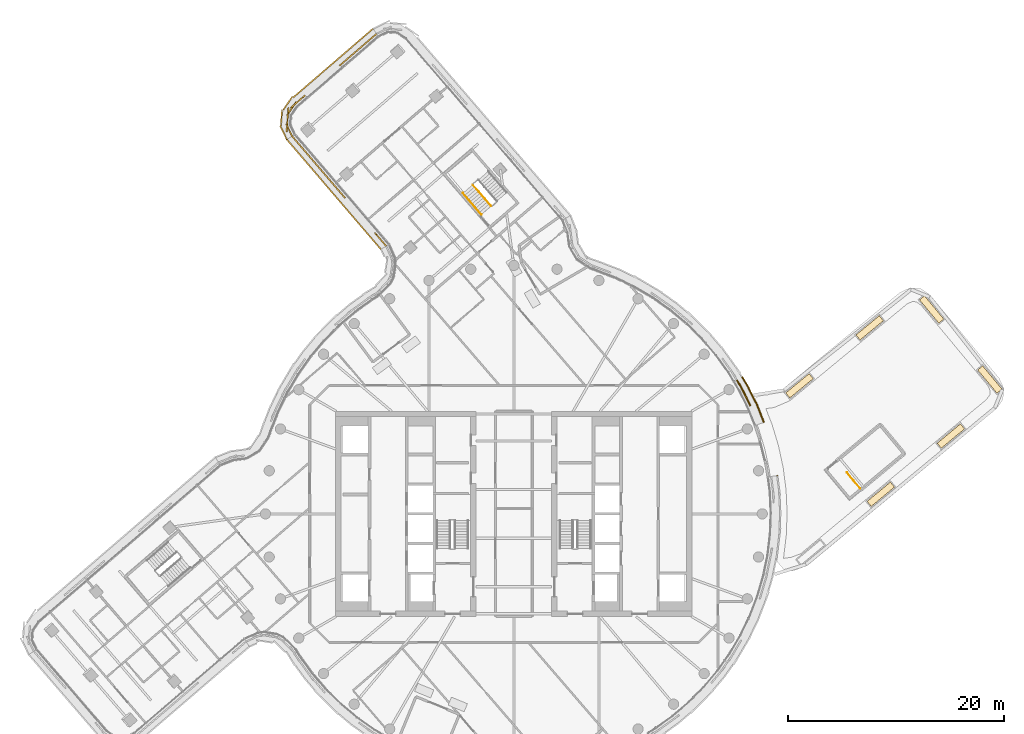
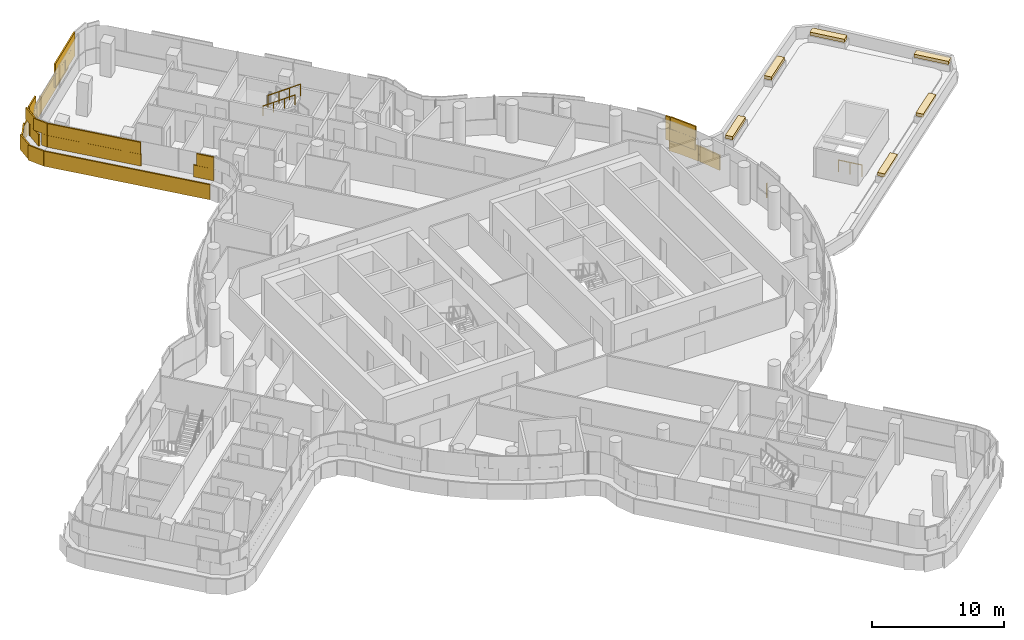
# One storey, part 32 of 34: 9 coverings, 3 railings.
"""IFC4 building model written with IfcOpenShell, lengths in metres."""

from ifc_helpers import new_model, si_unit, direction, frame, origin, origin_2d, place, context, subcontext, project, spatial, rectangle, circle, extrude, material, layer, layer_set, type_object, element, save


model = new_model("IFC4")

# Units and contexts
model_context = context("Model", 3, precision=1e-05, world=origin(), true_north=direction((0.0, 1.0)))
body_context = subcontext(model_context, "Body", "Model", "MODEL_VIEW")
ifc_project = project(units=[si_unit("LENGTHUNIT", "METRE"), si_unit("AREAUNIT", "SQUARE_METRE"), si_unit("VOLUMEUNIT", "CUBIC_METRE"), si_unit("PLANEANGLEUNIT", "RADIAN"), si_unit("MASSUNIT", "GRAM", prefix="KILO")], contexts=[model_context])

# Site, building, storey
site_placement = place(None, origin())
site = spatial("IfcSite", under=ifc_project, at=site_placement, CompositionType="ELEMENT")
building_placement = place(site_placement, origin())
building = spatial("IfcBuilding", under=site, at=building_placement, Name="Tamarind Cross Interchange Tower", CompositionType="ELEMENT")
storey_placement = place(building_placement, frame((0.0, 0.0, 182.5)))
storey = spatial("IfcBuildingStorey", under=building, at=storey_placement, Name="L45", CompositionType="ELEMENT", Elevation=182.5)

# Coverings
ifc_material_1 = material(Name="Planting soil and turf")
covering_type_1 = type_object("IfcCoveringType", Name="Planting bed", PredefinedType="USERDEFINED", material=ifc_material_1)
for number, where, z_axis, x_axis, name in (
    (1, (33.971435546875, 1.816162109375, 0.60009765625), (0.0, 0.0, 1.0), (0.769372797728, 0.638800045488, 0.0), "PLB-L45-RTE0-01"),
    (2, (40.4580078125, 7.201904296875, 0.60009765625), (0.0, 0.0, 1.0), (0.769372797728, 0.638800045488, 0.0), "PLB-L45-RTE0-02"),
    (3, (44.065185546875, 12.4365234375, 0.60009765625), (0.0, 0.0, 1.0), (-0.638800045488, 0.769372797728, 0.0), "PLB-L45-RTE0-03"),
    (4, (38.679443359375, 18.92333984375, 0.60009765625), (0.0, 0.0, 1.0), (-0.638800045488, 0.769372797728, 0.0), "PLB-L45-RTE0-04"),
    (5, (32.9423828125, 17.224853515625, 0.60009765625), (0.0, 0.0, 1.0), (-0.771227326834, -0.636559824639, 0.0), "PLB-L45-RTE0-05"),
    (6, (26.440185546875, 11.858154296875, 0.60009765625), (0.0, 0.0, 1.0), (-0.771227326834, -0.636559824639, 0.0), "PLB-L45-RTE0-06"),
):
    element("IfcCovering", number, at=place(storey_placement, frame(where, z_axis=z_axis, x_axis=x_axis)), inside=storey, type_object=covering_type_1, Name=name, ObjectType="Planting bed", PredefinedType="USERDEFINED", context=body_context, shape_type="SweptSolid", body=[
        extrude(rectangle(XDim=2.800048828125, YDim=0.60009765625, at=origin_2d()), origin(), (0.0, 0.0, 1.0), 0.300048828125),
    ])

# Railings
ifc_material_2 = material(Name="Stair guard")
railing_type_1 = type_object("IfcRailingType", Name="Stair guard", PredefinedType="GUARDRAIL", material=ifc_material_2)
railing_1_placement = place(storey_placement, frame((32.05517578125, 2.369873046875, 0.0)))
element("IfcRailing", 7, at=railing_1_placement, inside=storey, type_object=railing_type_1, Name="L45 ST3 top well guard 1", PredefinedType="GUARDRAIL", context=body_context, shape_type="SweptSolid", body=[
    extrude(circle(Radius=0.02392578125, at=origin_2d()), frame((0.0, 0.0, 1.076171875), z_axis=(-0.638805612328, 0.769368175621, 0.0), x_axis=(-0.769368175621, -0.638805612328, 0.0)), (0.0, 0.0, 1.0), 1.89990234375),
    extrude(circle(Radius=0.02099609375, at=origin_2d()), origin(), (0.0, 0.0, 1.0), 1.052001953125),
    extrude(circle(Radius=0.02099609375, at=origin_2d()), frame((-0.60693359375, 0.73095703125, 0.0)), (0.0, 0.0, 1.0), 1.052001953125),
    extrude(circle(Radius=0.02099609375, at=origin_2d()), frame((-1.213623046875, 1.461669921875, 0.0)), (0.0, 0.0, 1.0), 1.052001953125),
])
railing_2_placement = place(storey_placement, frame((-3.801513671875, 30.472412109375, 1.963623046875)))
element("IfcRailing", 8, at=railing_2_placement, inside=storey, type_object=railing_type_1, Name="L45 ST4 stair guard 3", PredefinedType="GUARDRAIL", context=body_context, shape_type="SweptSolid", body=[
    extrude(circle(Radius=0.02392578125, at=origin_2d()), frame((0.0, 0.0, 1.076171875), z_axis=(0.552399171702, -0.641167676203, 0.53269049747), x_axis=(0.757603689801, 0.652714829922, 0.0)), (0.0, 0.0, 1.0), 3.072021484375),
    extrude(circle(Radius=0.02099609375, at=origin_2d()), origin(), (0.0, 0.0, 1.0), 1.052001953125),
    extrude(circle(Radius=0.02099609375, at=origin_2d()), frame((0.565673828125, -0.656494140625, 0.54541015625)), (0.0, 0.0, 1.0), 1.052001953125),
    extrude(circle(Radius=0.02099609375, at=origin_2d()), frame((1.13134765625, -1.313232421875, 1.091064453125)), (0.0, 0.0, 1.0), 1.052001953125),
    extrude(circle(Radius=0.02099609375, at=origin_2d()), frame((1.697021484375, -1.9697265625, 1.636474609375)), (0.0, 0.0, 1.0), 1.052001953125),
])
ifc_material_3 = material(Name="Stair handrail")
railing_type_2 = type_object("IfcRailingType", Name="Stair handrail", PredefinedType="HANDRAIL", material=ifc_material_3)
railing_3_placement = place(storey_placement, frame((-4.710693359375, 29.68896484375, 1.963623046875)))
element("IfcRailing", 9, at=railing_3_placement, inside=storey, type_object=railing_type_2, Name="L45 ST4 stair handrail 2", PredefinedType="HANDRAIL", context=body_context, shape_type="SweptSolid", body=[
    extrude(circle(Radius=0.02392578125, at=origin_2d()), frame((0.0, 0.0, 0.8759765625), z_axis=(0.552399171702, -0.641167676203, 0.53269049747), x_axis=(0.757603689801, 0.652714829922, 0.0)), (0.0, 0.0, 1.0), 3.072021484375),
    extrude(circle(Radius=0.02099609375, at=origin_2d()), origin(), (0.0, 0.0, 1.0), 0.851806640625),
    extrude(circle(Radius=0.02099609375, at=origin_2d()), frame((0.565673828125, -0.656494140625, 0.54541015625)), (0.0, 0.0, 1.0), 0.851806640625),
    extrude(circle(Radius=0.02099609375, at=origin_2d()), frame((1.13134765625, -1.313232421875, 1.091064453125)), (0.0, 0.0, 1.0), 0.851806640625),
    extrude(circle(Radius=0.02099609375, at=origin_2d()), frame((1.697021484375, -1.9697265625, 1.636474609375)), (0.0, 0.0, 1.0), 0.851806640625),
])

# Coverings
ifc_material_4 = material(Name="Terracotta", Category="masonry")
ifc_layer = layer(ifc_material_4, 0.1201171875)
ifc_layer_set = layer_set([ifc_layer], Name="Terracotta")
covering_type_2 = type_object("IfcCoveringType", Name="Terracotta baguette screen unit", PredefinedType="MOLDING", material=ifc_layer_set)
covering_1_placement = place(storey_placement, origin())
element("IfcCovering", 10, at=covering_1_placement, inside=storey, type_object=covering_type_2, Name="SCR-L45-00-00", PredefinedType="MOLDING", context=body_context, shape_type="SweptSolid", body=[
    extrude(rectangle(XDim=0.760009765625, YDim=0.1201171875, at=origin_2d()), frame((-13.004638671875, 44.197998046875, 1.40380859375), z_axis=(0.0, 0.0, 1.0), x_axis=(-0.757596883339, -0.652722730074, 0.0)), (0.0, 0.0, 1.0), 1.092041015625),
    extrude(rectangle(XDim=1.52001953125, YDim=0.1201171875, at=origin_2d()), frame((-13.85693359375, 43.463623046875, 1.40380859375), z_axis=(0.0, 0.0, 1.0), x_axis=(-0.757596883339, -0.652722730074, 0.0)), (0.0, 0.0, 1.0), 1.092041015625),
    extrude(rectangle(XDim=1.52001953125, YDim=0.1201171875, at=origin_2d()), frame((-14.993408203125, 42.484619140625, 1.40380859375), z_axis=(0.0, 0.0, 1.0), x_axis=(-0.757596883339, -0.652722730074, 0.0)), (0.0, 0.0, 1.0), 1.092041015625),
    extrude(rectangle(XDim=0.78466796875, YDim=0.1201171875, at=origin_2d()), frame((-15.85498046875, 41.7421875, 1.40380859375), z_axis=(0.0, 0.0, 1.0), x_axis=(-0.757596883339, -0.652722730074, 0.0)), (0.0, 0.0, 1.0), 1.092041015625),
    extrude(rectangle(XDim=1.03515625, YDim=0.1201171875, at=origin_2d()), frame((-19.71875, 38.413330078125, 1.40380859375), z_axis=(0.0, 0.0, 1.0), x_axis=(-0.757596883339, -0.652722730074, 0.0)), (0.0, 0.0, 1.0), 1.092041015625),
    extrude(rectangle(XDim=1.52001953125, YDim=0.1201171875, at=origin_2d()), frame((-20.58251953125, 37.50634765625, 1.40380859375), z_axis=(0.0, 0.0, 1.0), x_axis=(-0.562845321819, -0.826562244303, 0.0)), (0.0, 0.0, 1.0), 1.092041015625),
    extrude(rectangle(XDim=1.52001953125, YDim=0.1201171875, at=origin_2d()), frame((-20.984619140625, 36.112060546875, 1.40380859375), z_axis=(0.0, 0.0, 1.0), x_axis=(-0.074157224945, -0.997246562285, 0.0)), (0.0, 0.0, 1.0), 1.092041015625),
    extrude(rectangle(XDim=0.509521484375, YDim=0.1201171875, at=origin_2d()), frame((-20.640869140625, 35.1943359375, 1.40380859375), z_axis=(0.0, 0.0, 1.0), x_axis=(0.434401240466, -0.900719469248, 0.0)), (0.0, 0.0, 1.0), 1.092041015625),
    extrude(rectangle(XDim=1.510009765625, YDim=0.1201171875, at=origin_2d()), frame((-13.288818359375, 43.953125, 2.50390625), z_axis=(0.0, 0.0, 1.0), x_axis=(-0.757596883339, -0.652722730074, 0.0)), (0.0, 0.0, 1.0), 1.092041015625),
    extrude(rectangle(XDim=1.52001953125, YDim=0.1201171875, at=origin_2d()), frame((-14.425048828125, 42.97412109375, 2.50390625), z_axis=(0.0, 0.0, 1.0), x_axis=(-0.757596883339, -0.652722730074, 0.0)), (0.0, 0.0, 1.0), 1.092041015625),
    extrude(rectangle(XDim=1.52001953125, YDim=0.1201171875, at=origin_2d()), frame((-15.5615234375, 41.9951171875, 2.50390625), z_axis=(0.0, 0.0, 1.0), x_axis=(-0.757596883339, -0.652722730074, 0.0)), (0.0, 0.0, 1.0), 1.092041015625),
    extrude(rectangle(XDim=1.52001953125, YDim=0.1201171875, at=origin_2d()), frame((-20.107177734375, 38.07861328125, 2.50390625), z_axis=(0.0, 0.0, 1.0), x_axis=(-0.757596883339, -0.652722730074, 0.0)), (0.0, 0.0, 1.0), 1.092041015625),
    extrude(rectangle(XDim=1.52001953125, YDim=0.1201171875, at=origin_2d()), frame((-20.928955078125, 36.85986328125, 2.50390625), z_axis=(0.0, 0.0, 1.0), x_axis=(-0.074157224945, -0.997246562285, 0.0)), (0.0, 0.0, 1.0), 1.092041015625),
    extrude(rectangle(XDim=1.259521484375, YDim=0.1201171875, at=origin_2d()), frame((-20.803955078125, 35.531982421875, 2.50390625), z_axis=(0.0, 0.0, 1.0), x_axis=(0.434401240466, -0.900719469248, 0.0)), (0.0, 0.0, 1.0), 1.092041015625),
    extrude(rectangle(XDim=0.760009765625, YDim=0.1201171875, at=origin_2d()), frame((-13.325927734375, 44.678955078125, 0.00390625), z_axis=(0.0, 0.0, 1.0), x_axis=(-0.757596883339, -0.652722730074, 0.0)), (0.0, 0.0, 1.0), 1.39208984375),
    extrude(rectangle(XDim=1.52001953125, YDim=0.1201171875, at=origin_2d()), frame((-14.17431640625, 43.94775390625, 0.00390625), z_axis=(0.0, 0.0, 1.0), x_axis=(-0.757596883339, -0.652722730074, 0.0)), (0.0, 0.0, 1.0), 1.39208984375),
    extrude(rectangle(XDim=1.52001953125, YDim=0.1201171875, at=origin_2d()), frame((-15.310791015625, 42.96875, 0.00390625), z_axis=(0.0, 0.0, 1.0), x_axis=(-0.757596883339, -0.652722730074, 0.0)), (0.0, 0.0, 1.0), 1.39208984375),
    extrude(rectangle(XDim=1.52001953125, YDim=0.1201171875, at=origin_2d()), frame((-16.447021484375, 41.98974609375, 0.00390625), z_axis=(0.0, 0.0, 1.0), x_axis=(-0.757596883339, -0.652722730074, 0.0)), (0.0, 0.0, 1.0), 1.39208984375),
    extrude(rectangle(XDim=1.52001953125, YDim=0.1201171875, at=origin_2d()), frame((-17.58349609375, 41.010498046875, 0.00390625), z_axis=(0.0, 0.0, 1.0), x_axis=(-0.757596883339, -0.652722730074, 0.0)), (0.0, 0.0, 1.0), 1.39208984375),
    extrude(rectangle(XDim=1.52001953125, YDim=0.1201171875, at=origin_2d()), frame((-18.719970703125, 40.031494140625, 0.00390625), z_axis=(0.0, 0.0, 1.0), x_axis=(-0.757596883339, -0.652722730074, 0.0)), (0.0, 0.0, 1.0), 1.39208984375),
    extrude(rectangle(XDim=1.52001953125, YDim=0.1201171875, at=origin_2d()), frame((-19.856201171875, 39.052490234375, 0.00390625), z_axis=(0.0, 0.0, 1.0), x_axis=(-0.757596883339, -0.652722730074, 0.0)), (0.0, 0.0, 1.0), 1.39208984375),
    extrude(rectangle(XDim=1.52001953125, YDim=0.1201171875, at=origin_2d()), frame((-20.929443359375, 38.016845703125, 0.00390625), z_axis=(0.0, 0.0, 1.0), x_axis=(-0.562845321819, -0.826562244303, 0.0)), (0.0, 0.0, 1.0), 1.39208984375),
    extrude(rectangle(XDim=1.52001953125, YDim=0.1201171875, at=origin_2d()), frame((-21.517333984375, 36.6875, 0.00390625), z_axis=(0.0, 0.0, 1.0), x_axis=(-0.074157224945, -0.997246562285, 0.0)), (0.0, 0.0, 1.0), 1.39208984375),
    extrude(rectangle(XDim=1.426025390625, YDim=0.1201171875, at=origin_2d()), frame((-21.326904296875, 35.294921875, 0.00390625), z_axis=(0.0, 0.0, 1.0), x_axis=(0.434401240466, -0.900719469248, 0.0)), (0.0, 0.0, 1.0), 1.39208984375),
])
covering_2_placement = place(storey_placement, origin())
element("IfcCovering", 11, at=covering_2_placement, inside=storey, type_object=covering_type_2, Name="SCR-L45-01-00", PredefinedType="MOLDING", context=body_context, shape_type="SweptSolid", body=[
    extrude(rectangle(XDim=0.760009765625, YDim=0.1201171875, at=origin_2d()), frame((-20.28857421875, 34.6845703125, 1.40380859375), z_axis=(0.0, 0.0, 1.0), x_axis=(0.650358204159, -0.759627676091, 0.0)), (0.0, 0.0, 1.0), 1.092041015625),
    extrude(rectangle(XDim=1.52001953125, YDim=0.1201171875, at=origin_2d()), frame((-19.556884765625, 33.829833984375, 1.40380859375), z_axis=(0.0, 0.0, 1.0), x_axis=(0.650358204159, -0.759627676091, 0.0)), (0.0, 0.0, 1.0), 1.092041015625),
    extrude(rectangle(XDim=1.52001953125, YDim=0.1201171875, at=origin_2d()), frame((-18.581298828125, 32.6904296875, 1.40380859375), z_axis=(0.0, 0.0, 1.0), x_axis=(0.650358204159, -0.759627676091, 0.0)), (0.0, 0.0, 1.0), 1.092041015625),
    extrude(rectangle(XDim=1.52001953125, YDim=0.1201171875, at=origin_2d()), frame((-17.60595703125, 31.551025390625, 1.40380859375), z_axis=(0.0, 0.0, 1.0), x_axis=(0.650358204159, -0.759627676091, 0.0)), (0.0, 0.0, 1.0), 1.092041015625),
    extrude(rectangle(XDim=1.52001953125, YDim=0.1201171875, at=origin_2d()), frame((-16.63037109375, 30.41162109375, 1.40380859375), z_axis=(0.0, 0.0, 1.0), x_axis=(0.650358204159, -0.759627676091, 0.0)), (0.0, 0.0, 1.0), 1.092041015625),
    extrude(rectangle(XDim=0.814453125, YDim=0.1201171875, at=origin_2d()), frame((-15.880859375, 29.5361328125, 1.40380859375), z_axis=(0.0, 0.0, 1.0), x_axis=(0.650358204159, -0.759627676091, 0.0)), (0.0, 0.0, 1.0), 1.092041015625),
    extrude(rectangle(XDim=1.00537109375, YDim=0.1201171875, at=origin_2d()), frame((-12.56396484375, 25.662109375, 1.40380859375), z_axis=(0.0, 0.0, 1.0), x_axis=(0.650358204159, -0.759627676091, 0.0)), (0.0, 0.0, 1.0), 1.092041015625),
    extrude(rectangle(XDim=0.654296875, YDim=0.1201171875, at=origin_2d()), frame((-12.031005859375, 25.039306640625, 1.40380859375), z_axis=(0.0, 0.0, 1.0), x_axis=(0.650358204159, -0.759627676091, 0.0)), (0.0, 0.0, 1.0), 1.092041015625),
    extrude(rectangle(XDim=1.510009765625, YDim=0.1201171875, at=origin_2d()), frame((-20.044677734375, 34.399658203125, 2.50390625), z_axis=(0.0, 0.0, 1.0), x_axis=(0.650358204159, -0.759627676091, 0.0)), (0.0, 0.0, 1.0), 1.092041015625),
    extrude(rectangle(XDim=1.52001953125, YDim=0.1201171875, at=origin_2d()), frame((-19.069091796875, 33.26025390625, 2.50390625), z_axis=(0.0, 0.0, 1.0), x_axis=(0.650358204159, -0.759627676091, 0.0)), (0.0, 0.0, 1.0), 1.092041015625),
    extrude(rectangle(XDim=1.52001953125, YDim=0.1201171875, at=origin_2d()), frame((-18.093505859375, 32.12060546875, 2.50390625), z_axis=(0.0, 0.0, 1.0), x_axis=(0.650358204159, -0.759627676091, 0.0)), (0.0, 0.0, 1.0), 1.092041015625),
    extrude(rectangle(XDim=1.52001953125, YDim=0.1201171875, at=origin_2d()), frame((-17.1181640625, 30.981201171875, 2.50390625), z_axis=(0.0, 0.0, 1.0), x_axis=(0.650358204159, -0.759627676091, 0.0)), (0.0, 0.0, 1.0), 1.092041015625),
    extrude(rectangle(XDim=1.52001953125, YDim=0.1201171875, at=origin_2d()), frame((-16.142578125, 29.841796875, 2.50390625), z_axis=(0.0, 0.0, 1.0), x_axis=(0.650358204159, -0.759627676091, 0.0)), (0.0, 0.0, 1.0), 1.092041015625),
    extrude(rectangle(XDim=1.404296875, YDim=0.1201171875, at=origin_2d()), frame((-12.27490234375, 25.32421875, 2.50390625), z_axis=(0.0, 0.0, 1.0), x_axis=(0.650358204159, -0.759627676091, 0.0)), (0.0, 0.0, 1.0), 1.092041015625),
    extrude(rectangle(XDim=0.760009765625, YDim=0.1201171875, at=origin_2d()), frame((-20.77001953125, 34.364013671875, 0.00390625), z_axis=(0.0, 0.0, 1.0), x_axis=(0.650358204159, -0.759627676091, 0.0)), (0.0, 0.0, 1.0), 1.39208984375),
    extrude(rectangle(XDim=1.52001953125, YDim=0.1201171875, at=origin_2d()), frame((-20.04150390625, 33.51318359375, 0.00390625), z_axis=(0.0, 0.0, 1.0), x_axis=(0.650358204159, -0.759627676091, 0.0)), (0.0, 0.0, 1.0), 1.39208984375),
    extrude(rectangle(XDim=1.52001953125, YDim=0.1201171875, at=origin_2d()), frame((-19.06591796875, 32.373779296875, 0.00390625), z_axis=(0.0, 0.0, 1.0), x_axis=(0.650358204159, -0.759627676091, 0.0)), (0.0, 0.0, 1.0), 1.39208984375),
    extrude(rectangle(XDim=1.52001953125, YDim=0.1201171875, at=origin_2d()), frame((-18.09033203125, 31.234375, 0.00390625), z_axis=(0.0, 0.0, 1.0), x_axis=(0.650358204159, -0.759627676091, 0.0)), (0.0, 0.0, 1.0), 1.39208984375),
    extrude(rectangle(XDim=1.52001953125, YDim=0.1201171875, at=origin_2d()), frame((-17.114990234375, 30.094970703125, 0.00390625), z_axis=(0.0, 0.0, 1.0), x_axis=(0.650358204159, -0.759627676091, 0.0)), (0.0, 0.0, 1.0), 1.39208984375),
    extrude(rectangle(XDim=1.52001953125, YDim=0.1201171875, at=origin_2d()), frame((-16.139404296875, 28.95556640625, 0.00390625), z_axis=(0.0, 0.0, 1.0), x_axis=(0.650358204159, -0.759627676091, 0.0)), (0.0, 0.0, 1.0), 1.39208984375),
    extrude(rectangle(XDim=1.52001953125, YDim=0.1201171875, at=origin_2d()), frame((-15.163818359375, 27.816162109375, 0.00390625), z_axis=(0.0, 0.0, 1.0), x_axis=(0.650358204159, -0.759627676091, 0.0)), (0.0, 0.0, 1.0), 1.39208984375),
    extrude(rectangle(XDim=1.52001953125, YDim=0.1201171875, at=origin_2d()), frame((-14.188232421875, 26.676513671875, 0.00390625), z_axis=(0.0, 0.0, 1.0), x_axis=(0.650358204159, -0.759627676091, 0.0)), (0.0, 0.0, 1.0), 1.39208984375),
    extrude(rectangle(XDim=1.52001953125, YDim=0.1201171875, at=origin_2d()), frame((-13.212646484375, 25.537109375, 0.00390625), z_axis=(0.0, 0.0, 1.0), x_axis=(0.650358204159, -0.759627676091, 0.0)), (0.0, 0.0, 1.0), 1.39208984375),
    extrude(rectangle(XDim=0.645751953125, YDim=0.1201171875, at=origin_2d()), frame((-12.521484375, 24.729736328125, 0.00390625), z_axis=(0.0, 0.0, 1.0), x_axis=(0.650358204159, -0.759627676091, 0.0)), (0.0, 0.0, 1.0), 1.39208984375),
])
covering_3_placement = place(storey_placement, origin())
element("IfcCovering", 12, at=covering_3_placement, inside=storey, type_object=covering_type_2, Name="SCR-L45-10-03", PredefinedType="MOLDING", context=body_context, shape_type="SweptSolid", body=[
    extrude(rectangle(XDim=1.52001953125, YDim=0.1201171875, at=origin_2d()), frame((21.548583984375, 10.71484375, 1.40380859375), z_axis=(0.0, 0.0, 1.0), x_axis=(-0.443058811505, 0.896492548518, 0.0)), (0.0, 0.0, 1.0), 1.092041015625),
    extrude(rectangle(XDim=1.15087890625, YDim=0.1201171875, at=origin_2d()), frame((20.935791015625, 11.883544921875, 1.40380859375), z_axis=(0.0, 0.0, 1.0), x_axis=(-0.515577308909, 0.856843065292, 0.0)), (0.0, 0.0, 1.0), 1.092041015625),
    extrude(rectangle(XDim=0.796875, YDim=0.1201171875, at=origin_2d()), frame((21.722900390625, 10.3623046875, 2.50390625), z_axis=(0.0, 0.0, 1.0), x_axis=(-0.443058811505, 0.896492548518, 0.0)), (0.0, 0.0, 1.0), 1.092041015625),
    extrude(rectangle(XDim=1.52001953125, YDim=0.1201171875, at=origin_2d()), frame((21.21630859375, 11.38720703125, 2.50390625), z_axis=(0.0, 0.0, 1.0), x_axis=(-0.443058811505, 0.896492548518, 0.0)), (0.0, 0.0, 1.0), 1.092041015625),
    extrude(rectangle(XDim=0.40087890625, YDim=0.1201171875, at=origin_2d()), frame((20.742431640625, 12.204833984375, 2.50390625), z_axis=(0.0, 0.0, 1.0), x_axis=(-0.515577308909, 0.856843065292, 0.0)), (0.0, 0.0, 1.0), 1.092041015625),
    extrude(rectangle(XDim=0.03076171875, YDim=0.1201171875, at=origin_2d()), frame((24.38818359375, 3.530517578125, 0.00390625), z_axis=(0.0, 0.0, 1.0), x_axis=(-0.127962008342, 0.991779070368, 0.0)), (0.0, 0.0, 1.0), 1.39208984375),
    extrude(rectangle(XDim=0.54931640625, YDim=0.1201171875, at=origin_2d()), frame((23.04443359375, 8.728515625, 0.00390625), z_axis=(0.0, 0.0, 1.0), x_axis=(-0.367513773146, 0.930018078613, 0.0)), (0.0, 0.0, 1.0), 1.39208984375),
    extrude(rectangle(XDim=1.52001953125, YDim=0.1201171875, at=origin_2d()), frame((22.67138671875, 9.672119140625, 0.00390625), z_axis=(0.0, 0.0, 1.0), x_axis=(-0.367513773146, 0.930018078613, 0.0)), (0.0, 0.0, 1.0), 1.39208984375),
    extrude(rectangle(XDim=1.52001953125, YDim=0.1201171875, at=origin_2d()), frame((22.03369140625, 11.02880859375, 0.00390625), z_axis=(0.0, 0.0, 1.0), x_axis=(-0.443058811505, 0.896492548518, 0.0)), (0.0, 0.0, 1.0), 1.39208984375),
    extrude(rectangle(XDim=1.131103515625, YDim=0.1201171875, at=origin_2d()), frame((21.425537109375, 12.182861328125, 0.00390625), z_axis=(0.0, 0.0, 1.0), x_axis=(-0.515577308909, 0.856843065292, 0.0)), (0.0, 0.0, 1.0), 1.39208984375),
])

save(model, "model.ifc")
